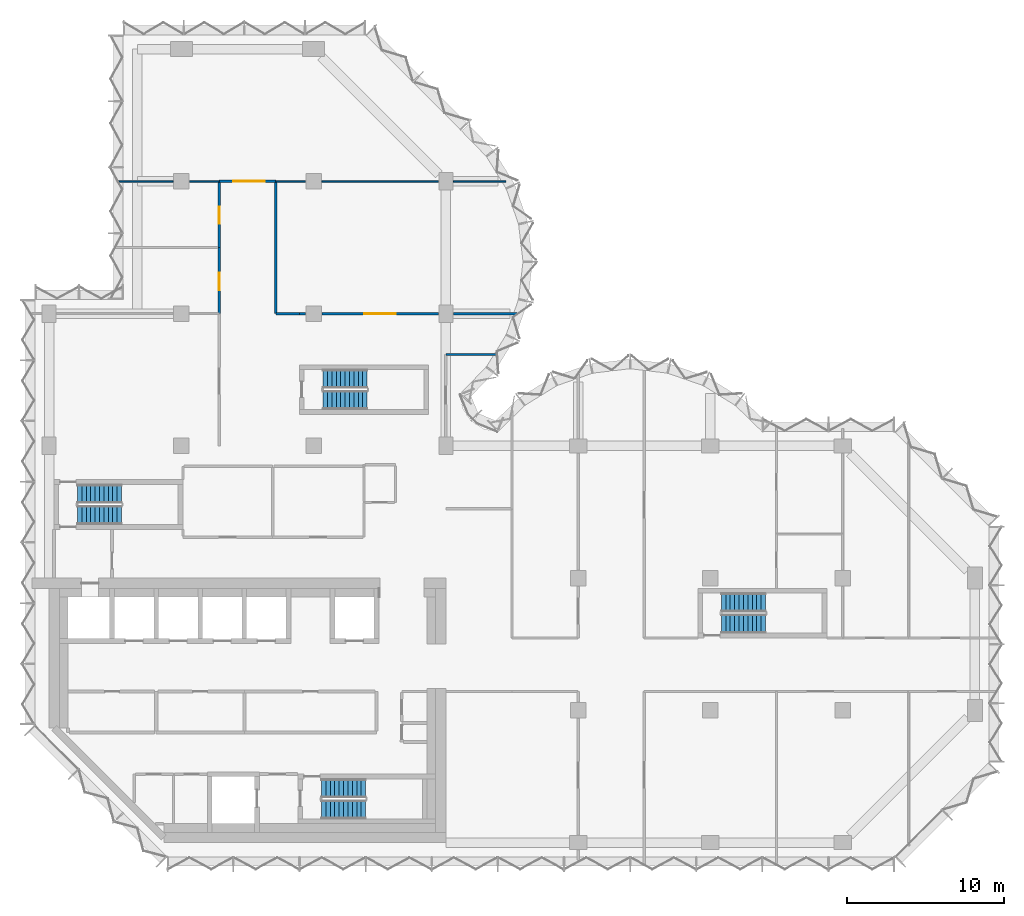
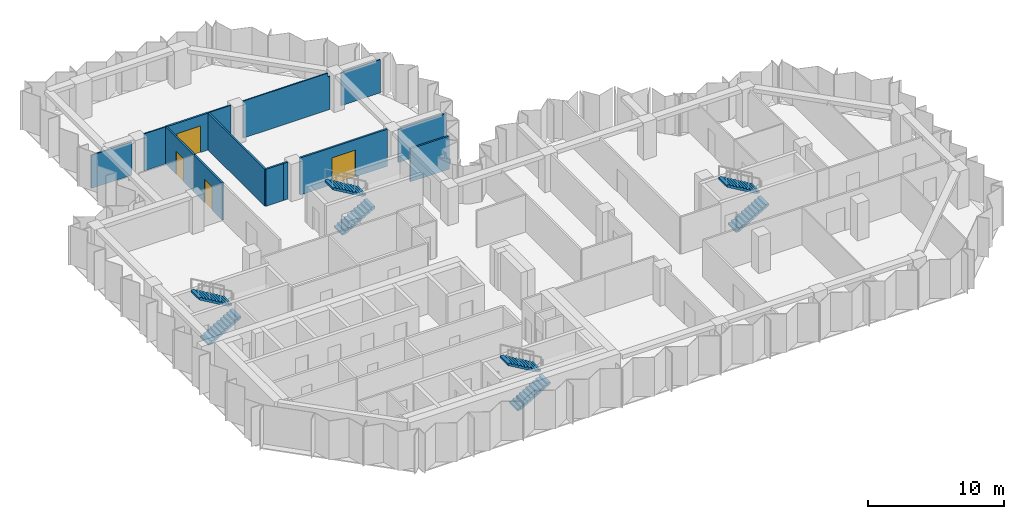
# One storey, part 8 of 10: 14 walls, 8 stair flights, 4 doors, 4 openings, 4 elements without a shape of their own.
"""IFC4 building model written with IfcOpenShell, lengths in metres."""

import ifcopenshell
import ifcopenshell.guid

model = None  # the IFC model being written
_history = None  # IfcOwnerHistory: only IFC2X3 demands one
_inside = {}  # id of a spatial element -> (the spatial element, [elements in it])
_under = {}  # id of a project, library or spatial element -> (it, [spatial elements below it])
_declared = {}  # id of a project -> (the project, [libraries it declares])
_typed = {}  # id of a type object -> (the type object, [elements of that type])
_made_of = {}  # id of a material, layer set ... -> (it, [elements and type objects made of it])


def new_model(schema):
    """Start an empty IFC model of exactly this schema.

    Asked for "IFC4X3", IfcOpenShell would pick the latest addendum, in which some entities
    have other attributes; the version numbers below select the first issue.
    IFC2X3 requires an IfcOwnerHistory on every rooted entity: one is made here for all.
    """
    global model, _history
    if schema == "IFC4X3":
        model = ifcopenshell.file(schema_version=(4, 3, 0, 0))
    else:
        model = ifcopenshell.file(schema=schema)
    _inside.clear()
    _under.clear()
    _declared.clear()
    _typed.clear()
    _made_of.clear()
    _history = None
    if model.schema == "IFC2X3":
        org = make("IfcOrganization", Name="unknown")
        user = make(
            "IfcPersonAndOrganization",
            ThePerson=make("IfcPerson", FamilyName="unknown"),
            TheOrganization=org,
        )
        app = make(
            "IfcApplication",
            ApplicationDeveloper=org,
            Version="unknown",
            ApplicationFullName="unknown",
            ApplicationIdentifier="unknown",
        )
        _history = make(
            "IfcOwnerHistory",
            OwningUser=user,
            OwningApplication=app,
            ChangeAction="ADDED",
            CreationDate=0,
        )
    return model


def make(cls, **values):
    """One entity of the class cls with the attributes given. An attribute that is None is left unset."""
    return model.create_entity(
        cls, **{name: value for name, value in values.items() if value is not None}
    )


def rooted(cls, **values):
    """An entity with a GlobalId (a new one), such as an element, a storey or a relation."""
    return make(cls, GlobalId=ifcopenshell.guid.new(), OwnerHistory=_history, **values)


def si_unit(unit_type, name, prefix=None):
    """IfcSIUnit, for example si_unit("LENGTHUNIT", "METRE", prefix="MILLI")."""
    return make("IfcSIUnit", UnitType=unit_type, Prefix=prefix, Name=name)


def assignment(units):
    """IfcUnitAssignment: the units of a project."""
    return None if units is None else make("IfcUnitAssignment", Units=units)


def point(xyz):
    """IfcCartesianPoint."""
    return None if xyz is None else make("IfcCartesianPoint", Coordinates=xyz)


def direction(xyz):
    """IfcDirection."""
    return None if xyz is None else make("IfcDirection", DirectionRatios=xyz)


def frame(location, z_axis=None, x_axis=None):
    """IfcAxis2Placement3D, a coordinate frame: its origin and axes. An axis left out is left unset."""
    return make(
        "IfcAxis2Placement3D",
        Location=point(location),
        Axis=direction(z_axis),
        RefDirection=direction(x_axis),
    )


def frame_2d(location, x_axis=None):
    """IfcAxis2Placement2D, a coordinate frame in the plane: its origin and x axis."""
    return make(
        "IfcAxis2Placement2D", Location=point(location), RefDirection=direction(x_axis)
    )


def origin():
    """The frame at (0, 0, 0) with its axes left unset."""
    return frame((0.0, 0.0, 0.0))


def place(relative_to, where):
    """IfcLocalPlacement: puts the frame where relative to a parent placement (None: the world)."""
    return make(
        "IfcLocalPlacement", PlacementRelTo=relative_to, RelativePlacement=where
    )


def context(
    kind, dimensions, precision=None, world=None, true_north=None, identifier=None
):
    """IfcGeometricRepresentationContext, for example the 3D "Model" context."""
    return make(
        "IfcGeometricRepresentationContext",
        ContextIdentifier=identifier,
        ContextType=kind,
        CoordinateSpaceDimension=dimensions,
        Precision=precision,
        WorldCoordinateSystem=world,
        TrueNorth=true_north,
    )


def subcontext(parent, identifier, kind, view, scale=None):
    """IfcGeometricRepresentationSubContext, for example "Body" below "Model"."""
    return make(
        "IfcGeometricRepresentationSubContext",
        ContextIdentifier=identifier,
        ContextType=kind,
        ParentContext=parent,
        TargetScale=scale,
        TargetView=view,
    )


def project(units=None, contexts=None):
    """IfcProject with its units and contexts."""
    return rooted(
        "IfcProject",
        Name="project",
        RepresentationContexts=contexts,
        UnitsInContext=assignment(units),
    )


def spatial(cls, under=None, at=None, **own):
    """A site, building, storey or space (cls), placed at a placement, below another one or the project."""
    s = rooted(cls, ObjectPlacement=at, **own)
    if under is not None:
        _under.setdefault(under.id(), (under, []))[1].append(s)
    return s


def polyline(points):
    """IfcPolyline through the points."""
    return make("IfcPolyline", Points=[point(p) for p in points])


def profile(cls, at=None, kind="AREA", **sizes):
    """A parametric profile (cls). Its sizes go by their IFC names, for example OverallWidth=200.0."""
    return make(cls, ProfileType=kind, Position=at, **sizes)


def rectangle(**sizes):
    """IfcRectangleProfileDef."""
    return profile("IfcRectangleProfileDef", **sizes)


def outline(outer, holes=None, kind="AREA"):
    """IfcArbitraryClosedProfileDef: a profile drawn as a closed curve; with holes, ...WithVoids."""
    if holes is None:
        return make("IfcArbitraryClosedProfileDef", ProfileType=kind, OuterCurve=outer)
    return make(
        "IfcArbitraryProfileDefWithVoids",
        ProfileType=kind,
        OuterCurve=outer,
        InnerCurves=holes,
    )


def extrude(swept, where, along, depth):
    """IfcExtrudedAreaSolid: the profile swept, set in the frame where, extruded along a direction by depth."""
    return make(
        "IfcExtrudedAreaSolid",
        SweptArea=swept,
        Position=where,
        ExtrudedDirection=direction(along),
        Depth=depth,
    )


def shape(context_of_items, identifier, shape_type, items):
    """IfcShapeRepresentation: the items that make up one representation, for example the "Body"."""
    return make(
        "IfcShapeRepresentation",
        ContextOfItems=context_of_items,
        RepresentationIdentifier=identifier,
        RepresentationType=shape_type,
        Items=items,
    )


def material(Name=None, Category=None):
    """IfcMaterial."""
    return make("IfcMaterial", Name=Name, Category=Category)


def layer(
    of_material, thickness, ventilated=None, Name=None, Category=None, Priority=None
):
    """IfcMaterialLayer: one layer of a wall or slab, of a material (None: an air gap)."""
    return make(
        "IfcMaterialLayer",
        Material=of_material,
        LayerThickness=thickness,
        IsVentilated=ventilated,
        Name=Name,
        Category=Category,
        Priority=Priority,
    )


def layer_set(layers, Name=None):
    """IfcMaterialLayerSet."""
    return make("IfcMaterialLayerSet", MaterialLayers=layers, LayerSetName=Name)


def made_of(thing, what):
    """Note that an element or type object is made of a material, layer set ...; save() writes the relation."""
    if what is not None:
        _made_of.setdefault(what.id(), (what, []))[1].append(thing)
    return thing


def type_object(cls, material=None, **own):
    """A type object (cls), such as IfcWallType, which elements share."""
    return made_of(rooted(cls, **own), material)


def element(
    cls,
    number,
    at=None,
    inside=None,
    cuts=None,
    type_object=None,
    material=None,
    context=None,
    identifier="Body",
    shape_type=None,
    held_by="IfcProductDefinitionShape",
    body=None,
    shapes=None,
    **own,
):
    """One element of the class cls, such as IfcWall. Its Tag is "e" and its number.

    at: its placement. inside: the storey or other place that contains it. cuts: it is an
    opening in that element (IfcRelVoidsElement). A single representation is given by context,
    identifier, shape_type and body (its items); several are given by shapes. held_by: the class
    of the entity that holds the representations. save() writes the other relations.
    """
    e = rooted(cls, Tag="e%d" % number, ObjectPlacement=at, **own)
    if body is not None:
        shapes = [shape(context, identifier, shape_type, body)]
    if shapes is not None:
        e.Representation = make(held_by, Representations=shapes)
    if inside is not None:
        _inside.setdefault(inside.id(), (inside, []))[1].append(e)
    if cuts is not None:
        rooted(
            "IfcRelVoidsElement", RelatingBuildingElement=cuts, RelatedOpeningElement=e
        )
    if type_object is not None:
        _typed.setdefault(type_object.id(), (type_object, []))[1].append(e)
    return made_of(e, material)


def fill(opening, filler):
    """IfcRelFillsElement: the door or window that sits in an opening."""
    return rooted(
        "IfcRelFillsElement",
        RelatingOpeningElement=opening,
        RelatedBuildingElement=filler,
    )


def aggregate(whole, parts):
    """IfcRelAggregates: a whole, such as a stair, and the parts it consists of."""
    return rooted("IfcRelAggregates", RelatingObject=whole, RelatedObjects=parts)


def save(model, path):
    """Write the relations noted so far, then the file.

    IfcRelAggregates (storeys below a building ...), IfcRelContainedInSpatialStructure (elements
    in a storey), IfcRelDefinesByType, IfcRelAssociatesMaterial and IfcRelDeclares: one each for
    every whole, place, type object, material and project.
    """
    for whole, parts in _under.values():
        aggregate(whole, parts)
    for where, things in _inside.values():
        rooted(
            "IfcRelContainedInSpatialStructure",
            RelatedElements=things,
            RelatingStructure=where,
        )
    for kind, things in _typed.values():
        rooted("IfcRelDefinesByType", RelatedObjects=things, RelatingType=kind)
    for what, things in _made_of.values():
        rooted("IfcRelAssociatesMaterial", RelatedObjects=things, RelatingMaterial=what)
    for by, libraries in _declared.values():
        rooted("IfcRelDeclares", RelatingContext=by, RelatedDefinitions=libraries)
    model.write(path)


model = new_model("IFC4")

# Units and contexts
model_context = context("Model", 3, precision=1e-05, world=origin(), true_north=direction((0.0, 1.0)))
body_context = subcontext(model_context, "Body", "Model", "MODEL_VIEW")
ifc_project = project(units=[si_unit("LENGTHUNIT", "METRE"), si_unit("AREAUNIT", "SQUARE_METRE"), si_unit("VOLUMEUNIT", "CUBIC_METRE"), si_unit("PLANEANGLEUNIT", "RADIAN"), si_unit("MASSUNIT", "GRAM", prefix="KILO")], contexts=[model_context])

# Site, building, storey
site_placement = place(None, origin())
site = spatial("IfcSite", under=ifc_project, at=site_placement, CompositionType="ELEMENT")
building_placement = place(site_placement, origin())
building = spatial("IfcBuilding", under=site, at=building_placement, Name="Brevane Broadcast Tower", CompositionType="ELEMENT")
storey_placement = place(building_placement, frame((0.0, 0.0, 177.60009765625)))
storey = spatial("IfcBuildingStorey", under=building, at=storey_placement, Name="L44", CompositionType="ELEMENT", Elevation=177.60009765625)

# Walls
ifc_material_1 = material(Name="Gypsum board partition")
ifc_layer_1 = layer(ifc_material_1, 0.10009765625)
ifc_layer_set_1 = layer_set([ifc_layer_1], Name="PARTITION 100 STUD")
wall_type_1 = type_object("IfcWallType", Name="PARTITION 100 STUD", PredefinedType="PARTITIONING", material=ifc_layer_set_1)
wall_1_placement = place(storey_placement, frame((10.800048828125, 42.0, 0.0), z_axis=(0.0, 0.0, 1.0), x_axis=(-1.0, 0.0, 0.0)))
element("IfcWall", 1, at=wall_1_placement, inside=storey, type_object=wall_type_1, Name="Partition G13-043", PredefinedType="PARTITIONING", context=body_context, shape_type="SweptSolid", body=[
    extrude(rectangle(XDim=1.880126953125, YDim=0.10009765625, at=frame_2d((0.93994140625, 0.0))), origin(), (0.0, 0.0, 1.0), 3.329833984375),
])
wall_2_placement = place(storey_placement, frame((7.8798828125, 42.0, 0.0), z_axis=(0.0, 0.0, 1.0), x_axis=(-1.0, 0.0, 0.0)))
element("IfcWall", 2, at=wall_2_placement, inside=storey, type_object=wall_type_1, Name="Partition G13-044", PredefinedType="PARTITIONING", context=body_context, shape_type="SweptSolid", body=[
    extrude(rectangle(XDim=3.453857421875, YDim=0.10009765625, at=frame_2d((1.72705078125, 0.0))), origin(), (0.0, 0.0, 1.0), 2.97998046875),
])
wall_3_placement = place(storey_placement, frame((29.011474609375, 42.0, 0.0), z_axis=(0.0, 0.0, 1.0), x_axis=(-1.0, 0.0, 0.0)))
element("IfcWall", 3, at=wall_3_placement, inside=storey, type_object=wall_type_1, Name="Partition G13-045", PredefinedType="PARTITIONING", context=body_context, shape_type="SweptSolid", body=[
    extrude(rectangle(XDim=3.341552734375, YDim=0.10009765625, at=frame_2d((1.6708984375, 0.0))), origin(), (0.0, 0.0, 1.0), 2.97998046875),
])
wall_4_placement = place(storey_placement, frame((24.72998046875, 42.0, 0.0), z_axis=(0.0, 0.0, 1.0), x_axis=(-1.0, 0.0, 0.0)))
element("IfcWall", 4, at=wall_4_placement, inside=storey, type_object=wall_type_1, Name="Partition G13-046", PredefinedType="PARTITIONING", context=body_context, shape_type="SweptSolid", body=[
    extrude(outline(polyline([(0.0, 0.0), (7.409912109375, 0.0), (7.409912109375, 3.329833984375), (0.19580078125, 3.329833984375), (0.193603515625, 2.97998046875), (0.0, 2.97998046875), (0.0, 0.0)])), frame((0.0, 0.050048828125, 0.0), z_axis=(0.0, -1.0, 0.0), x_axis=(1.0, 0.0, 0.0)), (0.0, 0.0, 1.0), 0.10009765625),
])
wall_5_placement = place(storey_placement, frame((16.280029296875, 42.0, 0.0), z_axis=(0.0, 0.0, 1.0), x_axis=(-1.0, 0.0, 0.0)))
element("IfcWall", 5, at=wall_5_placement, inside=storey, type_object=wall_type_1, Name="Partition G13-047", PredefinedType="PARTITIONING", context=body_context, shape_type="SweptSolid", body=[
    extrude(rectangle(XDim=1.880126953125, YDim=0.10009765625, at=frame_2d((0.93994140625, 0.0))), origin(), (0.0, 0.0, 1.0), 3.329833984375),
])
ifc_layer_2 = layer(ifc_material_1, 0.14990234375)
ifc_layer_set_2 = layer_set([ifc_layer_2], Name="PARTITION 150 EI 60")
wall_type_2 = type_object("IfcWallType", Name="PARTITION 150 EI 60", PredefinedType="PARTITIONING", material=ifc_layer_set_2)
wall_6_placement = place(storey_placement, frame((25.199951171875, 31.0, 0.0), z_axis=(0.0, 0.0, 1.0), x_axis=(1.0, 0.0, 0.0)))
element("IfcWall", 6, at=wall_6_placement, inside=storey, type_object=wall_type_2, Name="Partition G13-006", PredefinedType="PARTITIONING", context=body_context, shape_type="SweptSolid", body=[
    extrude(rectangle(XDim=3.32421875, YDim=0.14990234375, at=frame_2d((1.662109375, 0.0))), origin(), (0.0, 0.0, 1.0), 2.97998046875),
])
wall_7_placement = place(storey_placement, frame((14.39990234375, 33.60009765625, 0.0), z_axis=(0.0, 0.0, 1.0), x_axis=(1.0, 0.0, 0.0)))
element("IfcWall", 7, at=wall_7_placement, inside=storey, type_object=wall_type_2, Name="Partition G13-035", PredefinedType="PARTITIONING", context=body_context, shape_type="SweptSolid", body=[
    extrude(rectangle(XDim=1.5, YDim=0.14990234375, at=frame_2d((0.75, 0.0))), origin(), (0.0, 0.0, 1.0), 3.329833984375),
])
wall_8_placement = place(storey_placement, frame((15.89990234375, 33.60009765625, 0.0), z_axis=(0.0, 0.0, 1.0), x_axis=(1.0, 0.0, 0.0)))
element("IfcWall", 8, at=wall_8_placement, inside=storey, type_object=wall_type_2, Name="Partition G13-036", PredefinedType="PARTITIONING", context=body_context, shape_type="SweptSolid", body=[
    extrude(rectangle(XDim=0.380126953125, YDim=0.14990234375, at=frame_2d((0.18994140625, 0.0))), origin(), (0.0, 0.0, 1.0), 3.329833984375),
])

# Wall, opening, door
wall_9_placement = place(storey_placement, frame((17.320068359375, 33.60009765625, 0.0), z_axis=(0.0, 0.0, 1.0), x_axis=(1.0, 0.0, 0.0)))
wall_9 = element("IfcWall", 9, at=wall_9_placement, inside=storey, type_object=wall_type_2, Name="Partition G13-037", PredefinedType="PARTITIONING", context=body_context, shape_type="SweptSolid", body=[
    extrude(rectangle(XDim=7.409912109375, YDim=0.14990234375, at=frame_2d((3.705078125, 0.0))), origin(), (0.0, 0.0, 1.0), 3.329833984375),
])
opening_1_placement = place(wall_9_placement, frame((2.699951171875, 0.0, 0.0)))
opening_1 = element("IfcOpeningElement", 10, at=opening_1_placement, cuts=wall_9, Name="Opening D22-016", PredefinedType="OPENING", context=body_context, shape_type="SweptSolid", body=[
    extrude(rectangle(XDim=2.0, YDim=2.39990234375, at=frame_2d((1.0, 1.199951171875))), frame((0.0, 0.0849609375, 0.0), z_axis=(0.0, -1.0, 0.0), x_axis=(1.0, 0.0, 0.0)), (0.0, 0.0, 1.0), 0.169921875),
])
ifc_material_2 = material(Name="Fire-rated timber door leaf", Category="wood")
door_type_1 = type_object("IfcDoorType", Name="DOOR DOUBLE 2000 FD30S", OperationType="DOUBLE_DOOR_SINGLE_SWING", PredefinedType="DOOR", material=ifc_material_2)
door_1_placement = place(opening_1_placement, origin())
door_1 = element("IfcDoor", 11, at=door_1_placement, inside=storey, type_object=door_type_1, Name="Door D22-016", OperationType="DOUBLE_DOOR_SINGLE_SWING", OverallHeight=2.39990234375, OverallWidth=2.0, PredefinedType="DOOR", context=body_context, shape_type="SweptSolid", body=[
    extrude(rectangle(XDim=2.0, YDim=2.39990234375, at=frame_2d((1.0, 1.199951171875))), frame((0.0, 0.02490234375, 0.0), z_axis=(0.0, -1.0, 0.0), x_axis=(1.0, 0.0, 0.0)), (0.0, 0.0, 1.0), 0.050048828125),
])
fill(opening_1, door_1)

# Wall
wall_10_placement = place(storey_placement, frame((25.669921875, 33.60009765625, 0.0), z_axis=(0.0, 0.0, 1.0), x_axis=(1.0, 0.0, 0.0)))
element("IfcWall", 12, at=wall_10_placement, inside=storey, type_object=wall_type_2, Name="Partition G13-038", PredefinedType="PARTITIONING", context=body_context, shape_type="SweptSolid", body=[
    extrude(rectangle(XDim=4.092041015625, YDim=0.14990234375, at=frame_2d((2.0458984375, 0.0))), origin(), (0.0, 0.0, 1.0), 2.97998046875),
])

# Wall, opening, door
wall_11_placement = place(storey_placement, frame((10.800048828125, 42.0, 0.0), z_axis=(0.0, 0.0, 1.0), x_axis=(1.0, 0.0, 0.0)))
wall_11 = element("IfcWall", 13, at=wall_11_placement, inside=storey, type_object=wall_type_2, Name="Partition G13-039", PredefinedType="PARTITIONING", context=body_context, shape_type="SweptSolid", body=[
    extrude(rectangle(XDim=3.599853515625, YDim=0.14990234375, at=frame_2d((1.7998046875, 0.0))), origin(), (0.0, 0.0, 1.0), 3.329833984375),
])
opening_2_placement = place(wall_11_placement, frame((0.89990234375, 0.0, 0.0)))
opening_2 = element("IfcOpeningElement", 14, at=opening_2_placement, cuts=wall_11, Name="Opening D22-012", PredefinedType="OPENING", context=body_context, shape_type="SweptSolid", body=[
    extrude(rectangle(XDim=2.0, YDim=2.39990234375, at=frame_2d((1.0, 1.199951171875))), frame((0.0, 0.0849609375, 0.0), z_axis=(0.0, -1.0, 0.0), x_axis=(1.0, 0.0, 0.0)), (0.0, 0.0, 1.0), 0.169921875),
])
door_2_placement = place(opening_2_placement, origin())
door_2 = element("IfcDoor", 15, at=door_2_placement, inside=storey, type_object=door_type_1, Name="Door D22-012", OperationType="DOUBLE_DOOR_SINGLE_SWING", OverallHeight=2.39990234375, OverallWidth=2.0, PredefinedType="DOOR", context=body_context, shape_type="SweptSolid", body=[
    extrude(rectangle(XDim=2.0, YDim=2.39990234375, at=frame_2d((1.0, 1.199951171875))), frame((0.0, 0.02490234375, 0.0), z_axis=(0.0, -1.0, 0.0), x_axis=(1.0, 0.0, 0.0)), (0.0, 0.0, 1.0), 0.050048828125),
])
fill(opening_2, door_2)

wall_12_placement = place(storey_placement, frame((10.800048828125, 33.60009765625, 0.0), z_axis=(0.0, 0.0, 1.0), x_axis=(0.0, 1.0, 0.0)))
wall_12 = element("IfcWall", 16, at=wall_12_placement, inside=storey, type_object=wall_type_2, Name="Partition G13-040", PredefinedType="PARTITIONING", context=body_context, shape_type="SweptSolid", body=[
    extrude(rectangle(XDim=4.199951171875, YDim=0.14990234375, at=frame_2d((2.10009765625, 0.0))), origin(), (0.0, 0.0, 1.0), 3.329833984375),
])
opening_3_placement = place(wall_12_placement, frame((1.5, 0.0, 0.0)))
opening_3 = element("IfcOpeningElement", 17, at=opening_3_placement, cuts=wall_12, Name="Opening D22-014", PredefinedType="OPENING", context=body_context, shape_type="SweptSolid", body=[
    extrude(rectangle(XDim=1.10009765625, YDim=2.10009765625, at=frame_2d((0.550048828125, 1.050048828125))), frame((0.0, 0.0849609375, 0.0), z_axis=(0.0, -1.0, 0.0), x_axis=(1.0, 0.0, 0.0)), (0.0, 0.0, 1.0), 0.169921875),
])
door_type_2 = type_object("IfcDoorType", Name="DOOR SINGLE 1100 FD30S", OperationType="SINGLE_SWING_LEFT", PredefinedType="DOOR", material=ifc_material_2)
door_3_placement = place(opening_3_placement, origin())
door_3 = element("IfcDoor", 18, at=door_3_placement, inside=storey, type_object=door_type_2, Name="Door D22-014", OperationType="SINGLE_SWING_LEFT", OverallHeight=2.10009765625, OverallWidth=1.10009765625, PredefinedType="DOOR", context=body_context, shape_type="SweptSolid", body=[
    extrude(rectangle(XDim=1.10009765625, YDim=2.10009765625, at=frame_2d((0.550048828125, 1.050048828125))), frame((0.0, 0.02490234375, 0.0), z_axis=(0.0, -1.0, 0.0), x_axis=(1.0, 0.0, 0.0)), (0.0, 0.0, 1.0), 0.050048828125),
])
fill(opening_3, door_3)

wall_13_placement = place(storey_placement, frame((10.800048828125, 37.800048828125, 0.0), z_axis=(0.0, 0.0, 1.0), x_axis=(0.0, 1.0, 0.0)))
wall_13 = element("IfcWall", 19, at=wall_13_placement, inside=storey, type_object=wall_type_2, Name="Partition G13-041", PredefinedType="PARTITIONING", context=body_context, shape_type="SweptSolid", body=[
    extrude(rectangle(XDim=4.199951171875, YDim=0.14990234375, at=frame_2d((2.10009765625, 0.0))), origin(), (0.0, 0.0, 1.0), 3.329833984375),
])
opening_4_placement = place(wall_13_placement, frame((1.5, 0.0, 0.0)))
opening_4 = element("IfcOpeningElement", 20, at=opening_4_placement, cuts=wall_13, Name="Opening D22-015", PredefinedType="OPENING", context=body_context, shape_type="SweptSolid", body=[
    extrude(rectangle(XDim=1.10009765625, YDim=2.10009765625, at=frame_2d((0.550048828125, 1.050048828125))), frame((0.0, 0.0849609375, 0.0), z_axis=(0.0, -1.0, 0.0), x_axis=(1.0, 0.0, 0.0)), (0.0, 0.0, 1.0), 0.169921875),
])
door_4_placement = place(opening_4_placement, origin())
door_4 = element("IfcDoor", 21, at=door_4_placement, inside=storey, type_object=door_type_2, Name="Door D22-015", OperationType="SINGLE_SWING_LEFT", OverallHeight=2.10009765625, OverallWidth=1.10009765625, PredefinedType="DOOR", context=body_context, shape_type="SweptSolid", body=[
    extrude(rectangle(XDim=1.10009765625, YDim=2.10009765625, at=frame_2d((0.550048828125, 1.050048828125))), frame((0.0, 0.02490234375, 0.0), z_axis=(0.0, -1.0, 0.0), x_axis=(1.0, 0.0, 0.0)), (0.0, 0.0, 1.0), 0.050048828125),
])
fill(opening_4, door_4)

# Wall
wall_14_placement = place(storey_placement, frame((14.39990234375, 42.0, 0.0), z_axis=(0.0, 0.0, 1.0), x_axis=(0.0, -1.0, 0.0)))
element("IfcWall", 22, at=wall_14_placement, inside=storey, type_object=wall_type_2, Name="Partition G13-042", PredefinedType="PARTITIONING", context=body_context, shape_type="SweptSolid", body=[
    extrude(rectangle(XDim=8.39990234375, YDim=0.14990234375, at=frame_2d((4.199951171875, 0.0))), origin(), (0.0, 0.0, 1.0), 3.329833984375),
])

# Stair, stair flights
ifc_material_3 = material(Name="Concrete C50/60", Category="concrete")
stair_type = type_object("IfcStairType", Name="Exit stair 22 risers", PredefinedType="HALF_TURN_STAIR", material=ifc_material_3)
stair_1_placement = place(storey_placement, origin())
stair_1 = element("IfcStair", 23, at=stair_1_placement, inside=storey, type_object=stair_type, Name="L44 Exit stair ST-1", PredefinedType="HALF_TURN_STAIR")
stair_flight_type = type_object("IfcStairFlightType", Name="Exit stair flight 22 risers", PredefinedType="STRAIGHT", material=ifc_material_3)
stair_flight_1_placement = place(storey_placement, frame((1.800048828125, 20.800048828125, 0.0), z_axis=(0.0, 0.0, 1.0), x_axis=(1.0, 0.0, 0.0)))
stair_flight_1 = element("IfcStairFlight", 24, at=stair_flight_1_placement, type_object=stair_flight_type, Name="ST-1 flight 1", NumberOfRisers=11, NumberOfTreads=10, PredefinedType="STRAIGHT", RiserHeight=0.163636364, TreadLength=0.28, context=body_context, shape_type="SweptSolid", body=[
    extrude(outline(polyline([(0.0, 0.0), (0.0, 0.16357421875), (0.280029296875, 0.16357421875), (0.280029296875, 0.327392578125), (0.56005859375, 0.327392578125), (0.56005859375, 0.490966796875), (0.840087890625, 0.490966796875), (0.840087890625, 0.654541015625), (1.1201171875, 0.654541015625), (1.1201171875, 0.818115234375), (1.39990234375, 0.818115234375), (1.39990234375, 0.98193359375), (1.679931640625, 0.98193359375), (1.679931640625, 1.1455078125), (1.9599609375, 1.1455078125), (1.9599609375, 1.30908203125), (2.239990234375, 1.30908203125), (2.239990234375, 1.47265625), (2.52001953125, 1.47265625), (2.52001953125, 1.636474609375), (2.800048828125, 1.636474609375), (2.800048828125, 1.800048828125), (2.800048828125, 1.462646484375), (0.297119140625, 0.0), (0.0, 0.0)])), frame((0.0, 0.60009765625, 0.0), z_axis=(0.0, -1.0, 0.0), x_axis=(1.0, 0.0, 0.0)), (0.0, 0.0, 1.0), 1.199951171875),
])
stair_flight_2_placement = place(storey_placement, frame((4.60009765625, 22.14990234375, 1.7998046875), z_axis=(0.0, 0.0, 1.0), x_axis=(-1.0, 0.0, 0.0)))
stair_flight_2 = element("IfcStairFlight", 25, at=stair_flight_2_placement, type_object=stair_flight_type, Name="ST-1 flight 2", NumberOfRisers=11, NumberOfTreads=10, PredefinedType="STRAIGHT", RiserHeight=0.163636364, TreadLength=0.28, context=body_context, shape_type="SweptSolid", body=[
    extrude(outline(polyline([(0.0, 0.0), (0.0, 0.16357421875), (0.280029296875, 0.16357421875), (0.280029296875, 0.327392578125), (0.56005859375, 0.327392578125), (0.56005859375, 0.490966796875), (0.840087890625, 0.490966796875), (0.840087890625, 0.654541015625), (1.1201171875, 0.654541015625), (1.1201171875, 0.818115234375), (1.39990234375, 0.818115234375), (1.39990234375, 0.98193359375), (1.679931640625, 0.98193359375), (1.679931640625, 1.1455078125), (1.9599609375, 1.1455078125), (1.9599609375, 1.30908203125), (2.239990234375, 1.30908203125), (2.239990234375, 1.47265625), (2.52001953125, 1.47265625), (2.52001953125, 1.636474609375), (2.800048828125, 1.636474609375), (2.800048828125, 1.800048828125), (2.800048828125, 1.462646484375), (0.297119140625, 0.0), (0.0, 0.0)])), frame((0.0, 0.60009765625, 0.0), z_axis=(0.0, -1.0, 0.0), x_axis=(1.0, 0.0, 0.0)), (0.0, 0.0, 1.0), 1.199951171875),
])
aggregate(stair_1, [stair_flight_1, stair_flight_2])

stair_2_placement = place(storey_placement, origin())
stair_2 = element("IfcStair", 26, at=stair_2_placement, inside=storey, type_object=stair_type, Name="L44 Exit stair ST-2", PredefinedType="HALF_TURN_STAIR")
stair_flight_3_placement = place(storey_placement, frame((17.300048828125, 2.10009765625, 0.0), z_axis=(0.0, 0.0, 1.0), x_axis=(1.0, 0.0, 0.0)))
stair_flight_3 = element("IfcStairFlight", 27, at=stair_flight_3_placement, type_object=stair_flight_type, Name="ST-2 flight 1", NumberOfRisers=11, NumberOfTreads=10, PredefinedType="STRAIGHT", RiserHeight=0.163636364, TreadLength=0.28, context=body_context, shape_type="SweptSolid", body=[
    extrude(outline(polyline([(0.0, 0.0), (0.0, 0.16357421875), (0.280029296875, 0.16357421875), (0.280029296875, 0.327392578125), (0.56005859375, 0.327392578125), (0.56005859375, 0.490966796875), (0.840087890625, 0.490966796875), (0.840087890625, 0.654541015625), (1.1201171875, 0.654541015625), (1.1201171875, 0.818115234375), (1.39990234375, 0.818115234375), (1.39990234375, 0.98193359375), (1.679931640625, 0.98193359375), (1.679931640625, 1.1455078125), (1.9599609375, 1.1455078125), (1.9599609375, 1.30908203125), (2.239990234375, 1.30908203125), (2.239990234375, 1.47265625), (2.52001953125, 1.47265625), (2.52001953125, 1.636474609375), (2.800048828125, 1.636474609375), (2.800048828125, 1.800048828125), (2.800048828125, 1.462646484375), (0.297119140625, 0.0), (0.0, 0.0)])), frame((0.0, 0.60009765625, 0.0), z_axis=(0.0, -1.0, 0.0), x_axis=(1.0, 0.0, 0.0)), (0.0, 0.0, 1.0), 1.199951171875),
])
stair_flight_4_placement = place(storey_placement, frame((20.10009765625, 3.449951171875, 1.7998046875), z_axis=(0.0, 0.0, 1.0), x_axis=(-1.0, 0.0, 0.0)))
stair_flight_4 = element("IfcStairFlight", 28, at=stair_flight_4_placement, type_object=stair_flight_type, Name="ST-2 flight 2", NumberOfRisers=11, NumberOfTreads=10, PredefinedType="STRAIGHT", RiserHeight=0.163636364, TreadLength=0.28, context=body_context, shape_type="SweptSolid", body=[
    extrude(outline(polyline([(0.0, 0.0), (0.0, 0.16357421875), (0.280029296875, 0.16357421875), (0.280029296875, 0.327392578125), (0.56005859375, 0.327392578125), (0.56005859375, 0.490966796875), (0.840087890625, 0.490966796875), (0.840087890625, 0.654541015625), (1.1201171875, 0.654541015625), (1.1201171875, 0.818115234375), (1.39990234375, 0.818115234375), (1.39990234375, 0.98193359375), (1.679931640625, 0.98193359375), (1.679931640625, 1.1455078125), (1.9599609375, 1.1455078125), (1.9599609375, 1.30908203125), (2.239990234375, 1.30908203125), (2.239990234375, 1.47265625), (2.52001953125, 1.47265625), (2.52001953125, 1.636474609375), (2.800048828125, 1.636474609375), (2.800048828125, 1.800048828125), (2.800048828125, 1.462646484375), (0.297119140625, 0.0), (0.0, 0.0)])), frame((0.0, 0.60009765625, 0.0), z_axis=(0.0, -1.0, 0.0), x_axis=(1.0, 0.0, 0.0)), (0.0, 0.0, 1.0), 1.199951171875),
])
aggregate(stair_2, [stair_flight_3, stair_flight_4])

stair_3_placement = place(storey_placement, origin())
stair_3 = element("IfcStair", 29, at=stair_3_placement, inside=storey, type_object=stair_type, Name="L44 Exit stair ST-3", PredefinedType="HALF_TURN_STAIR")
stair_flight_5_placement = place(storey_placement, frame((17.39990234375, 28.10009765625, 0.0), z_axis=(0.0, 0.0, 1.0), x_axis=(1.0, 0.0, 0.0)))
stair_flight_5 = element("IfcStairFlight", 30, at=stair_flight_5_placement, type_object=stair_flight_type, Name="ST-3 flight 1", NumberOfRisers=11, NumberOfTreads=10, PredefinedType="STRAIGHT", RiserHeight=0.163636364, TreadLength=0.28, context=body_context, shape_type="SweptSolid", body=[
    extrude(outline(polyline([(0.0, 0.0), (0.0, 0.16357421875), (0.280029296875, 0.16357421875), (0.280029296875, 0.327392578125), (0.56005859375, 0.327392578125), (0.56005859375, 0.490966796875), (0.840087890625, 0.490966796875), (0.840087890625, 0.654541015625), (1.1201171875, 0.654541015625), (1.1201171875, 0.818115234375), (1.39990234375, 0.818115234375), (1.39990234375, 0.98193359375), (1.679931640625, 0.98193359375), (1.679931640625, 1.1455078125), (1.9599609375, 1.1455078125), (1.9599609375, 1.30908203125), (2.239990234375, 1.30908203125), (2.239990234375, 1.47265625), (2.52001953125, 1.47265625), (2.52001953125, 1.636474609375), (2.800048828125, 1.636474609375), (2.800048828125, 1.800048828125), (2.800048828125, 1.462646484375), (0.297119140625, 0.0), (0.0, 0.0)])), frame((0.0, 0.60009765625, 0.0), z_axis=(0.0, -1.0, 0.0), x_axis=(1.0, 0.0, 0.0)), (0.0, 0.0, 1.0), 1.199951171875),
])
stair_flight_6_placement = place(storey_placement, frame((20.199951171875, 29.449951171875, 1.7998046875), z_axis=(0.0, 0.0, 1.0), x_axis=(-1.0, 0.0, 0.0)))
stair_flight_6 = element("IfcStairFlight", 31, at=stair_flight_6_placement, type_object=stair_flight_type, Name="ST-3 flight 2", NumberOfRisers=11, NumberOfTreads=10, PredefinedType="STRAIGHT", RiserHeight=0.163636364, TreadLength=0.28, context=body_context, shape_type="SweptSolid", body=[
    extrude(outline(polyline([(0.0, 0.0), (0.0, 0.16357421875), (0.280029296875, 0.16357421875), (0.280029296875, 0.327392578125), (0.56005859375, 0.327392578125), (0.56005859375, 0.490966796875), (0.840087890625, 0.490966796875), (0.840087890625, 0.654541015625), (1.1201171875, 0.654541015625), (1.1201171875, 0.818115234375), (1.39990234375, 0.818115234375), (1.39990234375, 0.98193359375), (1.679931640625, 0.98193359375), (1.679931640625, 1.1455078125), (1.9599609375, 1.1455078125), (1.9599609375, 1.30908203125), (2.239990234375, 1.30908203125), (2.239990234375, 1.47265625), (2.52001953125, 1.47265625), (2.52001953125, 1.636474609375), (2.800048828125, 1.636474609375), (2.800048828125, 1.800048828125), (2.800048828125, 1.462646484375), (0.297119140625, 0.0), (0.0, 0.0)])), frame((0.0, 0.60009765625, 0.0), z_axis=(0.0, -1.0, 0.0), x_axis=(1.0, 0.0, 0.0)), (0.0, 0.0, 1.0), 1.199951171875),
])
aggregate(stair_3, [stair_flight_5, stair_flight_6])

stair_4_placement = place(storey_placement, origin())
stair_4 = element("IfcStair", 32, at=stair_4_placement, inside=storey, type_object=stair_type, Name="L44 Exit stair ST-4", PredefinedType="HALF_TURN_STAIR")
stair_flight_7_placement = place(storey_placement, frame((42.699951171875, 13.89990234375, 0.0), z_axis=(0.0, 0.0, 1.0), x_axis=(1.0, 0.0, 0.0)))
stair_flight_7 = element("IfcStairFlight", 33, at=stair_flight_7_placement, type_object=stair_flight_type, Name="ST-4 flight 1", NumberOfRisers=11, NumberOfTreads=10, PredefinedType="STRAIGHT", RiserHeight=0.163636364, TreadLength=0.28, context=body_context, shape_type="SweptSolid", body=[
    extrude(outline(polyline([(0.0, 0.0), (0.0, 0.16357421875), (0.280029296875, 0.16357421875), (0.280029296875, 0.327392578125), (0.56005859375, 0.327392578125), (0.56005859375, 0.490966796875), (0.840087890625, 0.490966796875), (0.840087890625, 0.654541015625), (1.1201171875, 0.654541015625), (1.1201171875, 0.818115234375), (1.39990234375, 0.818115234375), (1.39990234375, 0.98193359375), (1.679931640625, 0.98193359375), (1.679931640625, 1.1455078125), (1.9599609375, 1.1455078125), (1.9599609375, 1.30908203125), (2.239990234375, 1.30908203125), (2.239990234375, 1.47265625), (2.52001953125, 1.47265625), (2.52001953125, 1.636474609375), (2.800048828125, 1.636474609375), (2.800048828125, 1.800048828125), (2.800048828125, 1.462646484375), (0.297119140625, 0.0), (0.0, 0.0)])), frame((0.0, 0.60009765625, 0.0), z_axis=(0.0, -1.0, 0.0), x_axis=(1.0, 0.0, 0.0)), (0.0, 0.0, 1.0), 1.199951171875),
])
stair_flight_8_placement = place(storey_placement, frame((45.5, 15.25, 1.7998046875), z_axis=(0.0, 0.0, 1.0), x_axis=(-1.0, 0.0, 0.0)))
stair_flight_8 = element("IfcStairFlight", 34, at=stair_flight_8_placement, type_object=stair_flight_type, Name="ST-4 flight 2", NumberOfRisers=11, NumberOfTreads=10, PredefinedType="STRAIGHT", RiserHeight=0.163636364, TreadLength=0.28, context=body_context, shape_type="SweptSolid", body=[
    extrude(outline(polyline([(0.0, 0.0), (0.0, 0.16357421875), (0.280029296875, 0.16357421875), (0.280029296875, 0.327392578125), (0.56005859375, 0.327392578125), (0.56005859375, 0.490966796875), (0.840087890625, 0.490966796875), (0.840087890625, 0.654541015625), (1.1201171875, 0.654541015625), (1.1201171875, 0.818115234375), (1.39990234375, 0.818115234375), (1.39990234375, 0.98193359375), (1.679931640625, 0.98193359375), (1.679931640625, 1.1455078125), (1.9599609375, 1.1455078125), (1.9599609375, 1.30908203125), (2.239990234375, 1.30908203125), (2.239990234375, 1.47265625), (2.52001953125, 1.47265625), (2.52001953125, 1.636474609375), (2.800048828125, 1.636474609375), (2.800048828125, 1.800048828125), (2.800048828125, 1.462646484375), (0.297119140625, 0.0), (0.0, 0.0)])), frame((0.0, 0.60009765625, 0.0), z_axis=(0.0, -1.0, 0.0), x_axis=(1.0, 0.0, 0.0)), (0.0, 0.0, 1.0), 1.199951171875),
])
aggregate(stair_4, [stair_flight_7, stair_flight_8])

save(model, "model.ifc")
